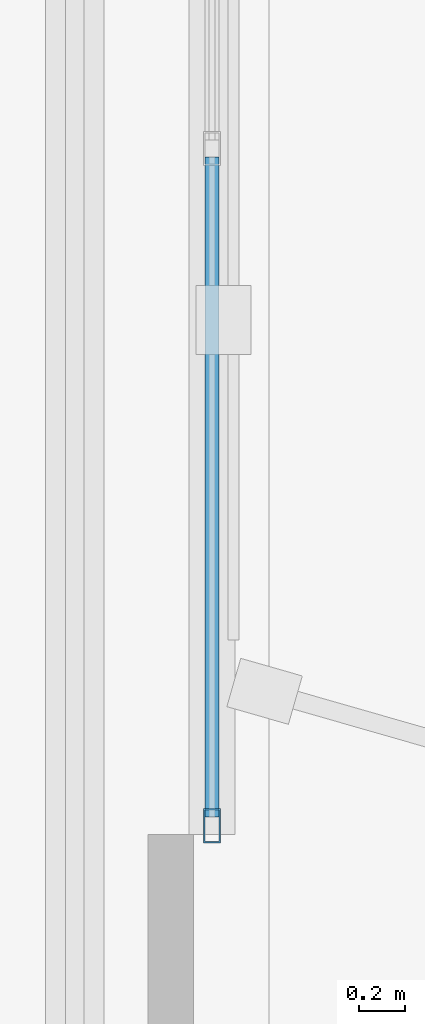
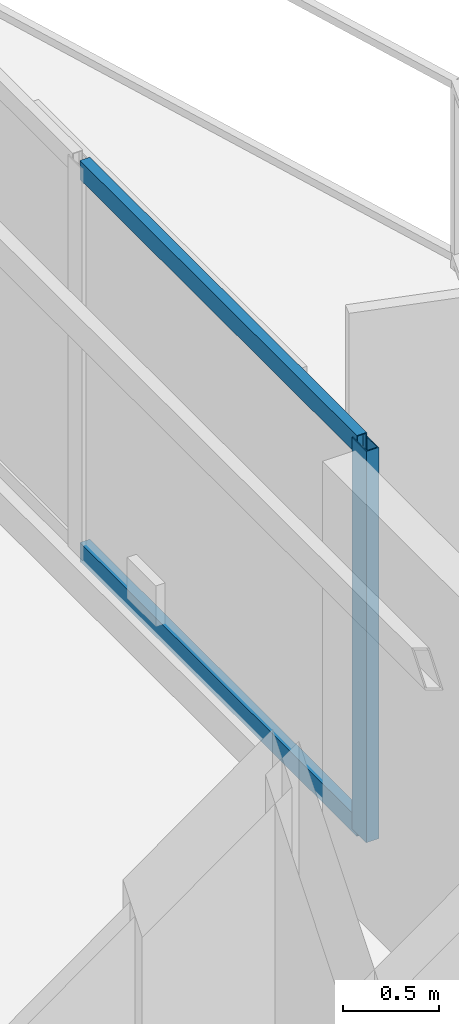
# One storey, part 6 of 22: 3 members, 1 element without a shape of its own.
"""IFC4 building model written with IfcOpenShell, lengths in metres."""

from ifc_helpers import new_model, si_unit, direction, frame, origin, origin_2d, place, context, subcontext, project, spatial, hollow_rectangle, extrude, material, layer, layer_set, material_profile, profile_set, type_object, element, aggregate, save


model = new_model("IFC4")

# Units and contexts
model_context = context("Model", 3, precision=1e-05, world=origin(), true_north=direction((0.0, 1.0)))
body_context = subcontext(model_context, "Body", "Model", "MODEL_VIEW")
ifc_project = project(units=[si_unit("LENGTHUNIT", "METRE"), si_unit("AREAUNIT", "SQUARE_METRE"), si_unit("VOLUMEUNIT", "CUBIC_METRE"), si_unit("PLANEANGLEUNIT", "RADIAN"), si_unit("MASSUNIT", "GRAM", prefix="KILO")], contexts=[model_context])

# Site, building, storey
site_placement = place(None, origin())
site = spatial("IfcSite", under=ifc_project, at=site_placement, CompositionType="ELEMENT")
building_placement = place(site_placement, origin())
building = spatial("IfcBuilding", under=site, at=building_placement, Name="Mersakhor Tower and Convention Hall", CompositionType="ELEMENT")
storey_placement = place(building_placement, frame((0.0, 0.0, 201.89990234375)))
storey = spatial("IfcBuildingStorey", under=building, at=storey_placement, Name="L56", CompositionType="ELEMENT", Elevation=201.89990234375)

# Curtain wall, members
ifc_material_1 = material(Name="Dark solar low-E aluminium curtain wall", Category="aluminium")
ifc_layer = layer(ifc_material_1, 0.169921875)
ifc_layer_set = layer_set([ifc_layer], Name="Dark solar low-E aluminium curtain wall")
curtain_wall_type = type_object("IfcCurtainWallType", Name="CW-SYS-02", PredefinedType="USERDEFINED", material=ifc_layer_set)
curtain_wall_placement = place(storey_placement, origin())
curtain_wall = element("IfcCurtainWall", 1, at=curtain_wall_placement, inside=storey, type_object=curtain_wall_type, Name="L56 Dark-Glass Curtain Wall F2-B2", ObjectType="CURTAIN WALL", PredefinedType="USERDEFINED")
ifc_material_2 = material(Name="Anodised aluminium EN AW-6063 T6", Category="aluminium")
ifc_material_profile_1 = material_profile(ifc_material_2, hollow_rectangle(XDim=0.074951171875, YDim=0.14990234375, WallThickness=0.00634765625, at=origin_2d()), Name="RHS 150x75x6.3")
ifc_profile_set_1 = profile_set([ifc_material_profile_1], Name="Anodised aluminium EN AW-6063 T6")
member_type_1 = type_object("IfcMemberType", Name="CWM-150x75", PredefinedType="MULLION", material=ifc_profile_set_1)
member_1_placement = place(storey_placement, frame((40.58837890625, 22.2880859375, 0.2001953125), z_axis=(0.0, 0.0, 1.0), x_axis=(1.0, 0.0, 0.0)))
member_1 = element("IfcMember", 2, at=member_1_placement, type_object=member_type_1, Name="CW-02 mullion 4", PredefinedType="MULLION", context=body_context, shape_type="SweptSolid", body=[
    extrude(hollow_rectangle(XDim=0.074951171875, YDim=0.14990234375, WallThickness=0.00634765625, at=origin_2d()), origin(), (0.0, 0.0, 1.0), 2.489990234375),
])
ifc_material_3 = material(Name="Anodised aluminium EN AW-6063 T6", Category="aluminium")
ifc_material_profile_2 = material_profile(ifc_material_3, hollow_rectangle(XDim=0.06005859375, YDim=0.1201171875, WallThickness=0.0048828125, at=origin_2d()), Name="RHS 120x60x5")
ifc_profile_set_2 = profile_set([ifc_material_profile_2], Name="Anodised aluminium EN AW-6063 T6")
member_type_2 = type_object("IfcMemberType", Name="CWT-120x60", PredefinedType="USERDEFINED", material=ifc_profile_set_2)
member_2_placement = place(storey_placement, frame((40.58837890625, 25.212646484375, 0.22998046875), z_axis=(0.0, -1.0, 0.0), x_axis=(1.0, 0.0, 0.0)))
member_2 = element("IfcMember", 3, at=member_2_placement, type_object=member_type_2, Name="CW-02 transom 3.1", ObjectType="TRANSOM", PredefinedType="USERDEFINED", context=body_context, shape_type="SweptSolid", body=[
    extrude(hollow_rectangle(XDim=0.06005859375, YDim=0.1201171875, WallThickness=0.0048828125, at=origin_2d()), origin(), (0.0, 0.0, 1.0), 2.88720703125),
])
member_3_placement = place(storey_placement, frame((40.58837890625, 25.212646484375, 2.66015625), z_axis=(0.0, -1.0, 0.0), x_axis=(1.0, 0.0, 0.0)))
member_3 = element("IfcMember", 4, at=member_3_placement, type_object=member_type_2, Name="CW-02 transom 3.2", ObjectType="TRANSOM", PredefinedType="USERDEFINED", context=body_context, shape_type="SweptSolid", body=[
    extrude(hollow_rectangle(XDim=0.06005859375, YDim=0.1201171875, WallThickness=0.0048828125, at=origin_2d()), origin(), (0.0, 0.0, 1.0), 2.88720703125),
])
aggregate(curtain_wall, [member_1, member_2, member_3])

save(model, "model.ifc")
